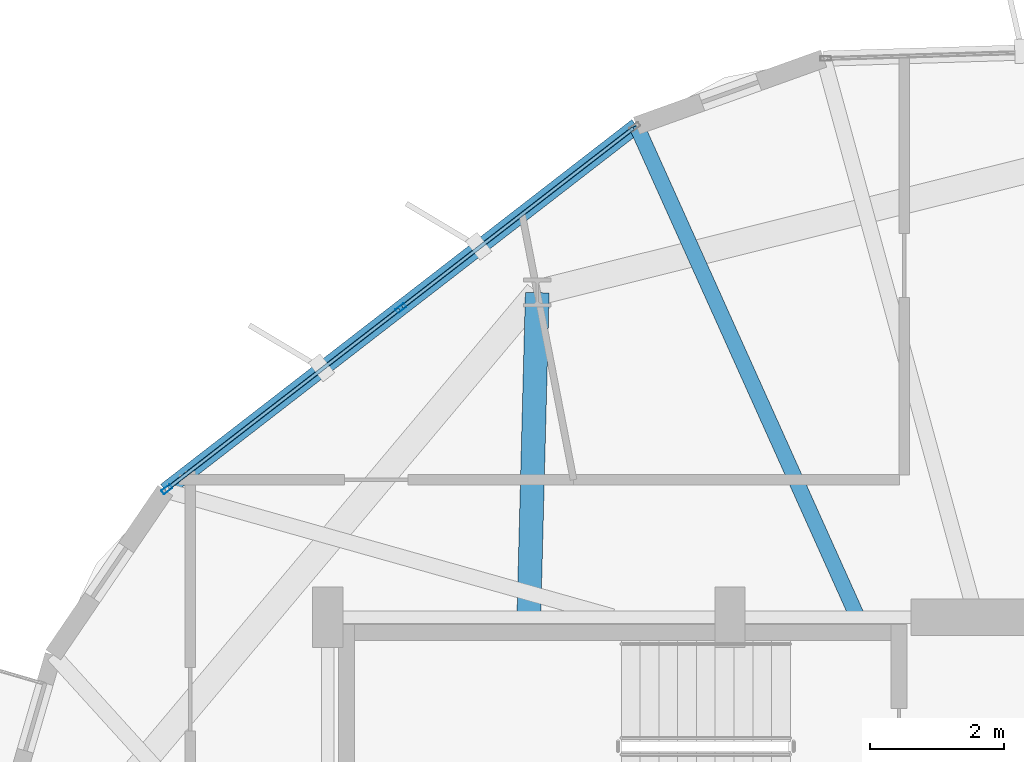
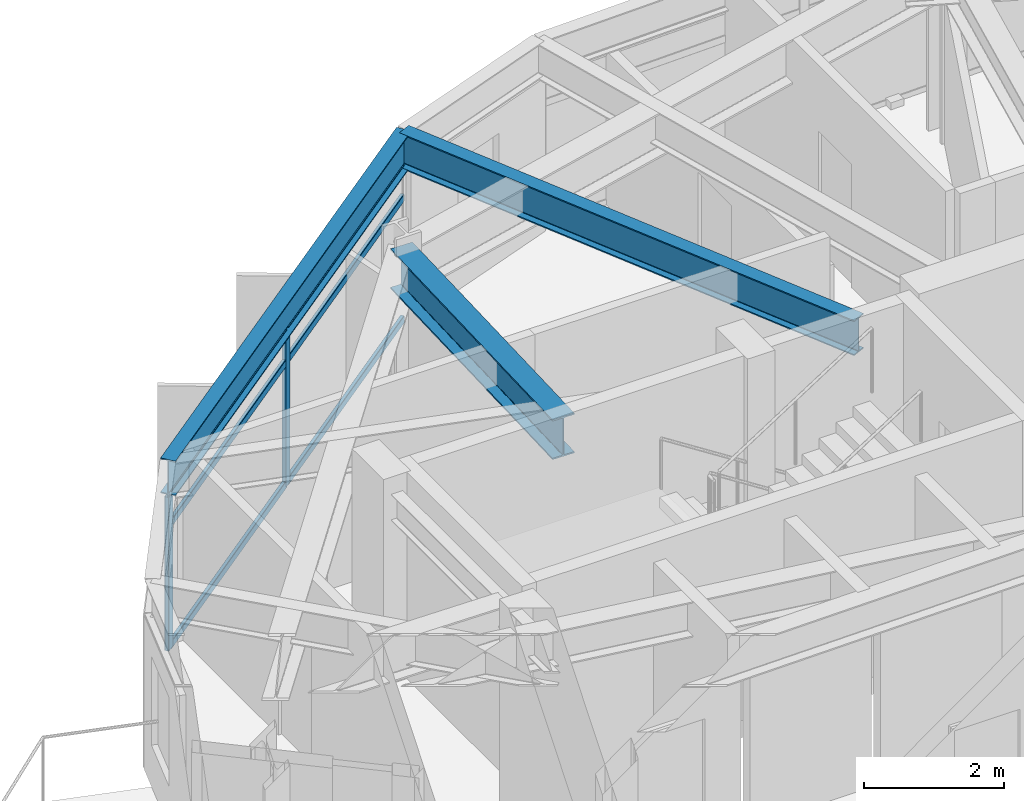
# One storey, part 12 of 23: 8 members, 3 beams, 1 element without a shape of its own.
"""IFC4 building model written with IfcOpenShell, lengths in metres."""

from ifc_helpers import new_model, si_unit, direction, frame, origin, origin_2d, place, context, subcontext, project, spatial, hollow_rectangle, i_section, extrude, material, layer, layer_set, material_profile, profile_set, type_object, element, aggregate, save


model = new_model("IFC4")

# Units and contexts
model_context = context("Model", 3, precision=1e-05, world=origin(), true_north=direction((0.0, 1.0)))
body_context = subcontext(model_context, "Body", "Model", "MODEL_VIEW")
ifc_project = project(units=[si_unit("LENGTHUNIT", "METRE"), si_unit("AREAUNIT", "SQUARE_METRE"), si_unit("VOLUMEUNIT", "CUBIC_METRE"), si_unit("PLANEANGLEUNIT", "RADIAN"), si_unit("MASSUNIT", "GRAM", prefix="KILO")], contexts=[model_context])

# Site, building, storey
site_placement = place(None, origin())
site = spatial("IfcSite", under=ifc_project, at=site_placement, CompositionType="ELEMENT")
building_placement = place(site_placement, origin())
building = spatial("IfcBuilding", under=site, at=building_placement, Name="Soratama Intermodal Tower", CompositionType="ELEMENT")
storey_placement = place(building_placement, frame((0.0, 0.0, 171.39990234375)))
storey = spatial("IfcBuildingStorey", under=building, at=storey_placement, Name="L42", CompositionType="ELEMENT", Elevation=171.39990234375)

# Beams
ifc_material_1 = material(Name="Structural steel ASTM A992 Grade 50", Category="steel")
ifc_material_profile_1 = material_profile(ifc_material_1, i_section(OverallWidth=0.35498046875, OverallDepth=0.695068359375, WebThickness=0.015380859375, FlangeThickness=0.02490234375, FilletRadius=0.01611328125, at=origin_2d()), Name="W27X146")
ifc_profile_set_1 = profile_set([ifc_material_profile_1], Name="Structural steel ASTM A992 Grade 50")
beam_type_1 = type_object("IfcBeamType", Name="BM-RING-W27X146", PredefinedType="BEAM", material=ifc_profile_set_1)
beam_1_placement = place(storey_placement, frame((35.60009765625, 35.0, 2.95263671875), z_axis=(0.026013685955, 0.99966158681, 0.0), x_axis=(-0.99966158681, 0.026013685955, 0.0)))
element("IfcBeam", 1, at=beam_1_placement, inside=storey, type_object=beam_type_1, Name="BM-L42-RAD-04", PredefinedType="BEAM", context=body_context, shape_type="SweptSolid", body=[
    extrude(i_section(OverallWidth=0.35498046875, OverallDepth=0.695068359375, WebThickness=0.015380859375, FlangeThickness=0.02490234375, FilletRadius=0.01611328125, at=origin_2d()), origin(), (0.0, 0.0, 1.0), 4.8427734375),
])
ifc_material_2 = material(Name="Structural steel ASTM A992 Grade 50", Category="steel")
ifc_material_profile_2 = material_profile(ifc_material_2, i_section(OverallWidth=0.22900390625, OverallDepth=0.612060546875, WebThickness=0.011962890625, FlangeThickness=0.01953125, FilletRadius=0.012939453125, at=origin_2d()), Name="W24X84")
ifc_profile_set_2 = profile_set([ifc_material_profile_2], Name="Structural steel ASTM A992 Grade 50")
beam_type_2 = type_object("IfcBeamType", Name="BM-SPN-W24X84", PredefinedType="SPANDREL", material=ifc_profile_set_2)
beam_2_placement = place(storey_placement, frame((37.2060546875, 42.330078125, 2.994140625), z_axis=(-0.790839516003, -0.612023577918, 0.0), x_axis=(0.612023577918, -0.790839516003, 0.0)))
element("IfcBeam", 2, at=beam_2_placement, inside=storey, type_object=beam_type_2, Name="BS-L42-F03", PredefinedType="SPANDREL", context=body_context, shape_type="SweptSolid", body=[
    extrude(i_section(OverallWidth=0.22900390625, OverallDepth=0.612060546875, WebThickness=0.011962890625, FlangeThickness=0.01953125, FilletRadius=0.012939453125, at=origin_2d()), origin(), (0.0, 0.0, 1.0), 8.886962890625),
])
ifc_material_3 = material(Name="Structural steel ASTM A992 Grade 50", Category="steel")
ifc_material_profile_3 = material_profile(ifc_material_3, i_section(OverallWidth=0.22900390625, OverallDepth=0.612060546875, WebThickness=0.011962890625, FlangeThickness=0.01953125, FilletRadius=0.012939453125, at=origin_2d()), Name="W24X84")
ifc_profile_set_3 = profile_set([ifc_material_profile_3], Name="Structural steel ASTM A992 Grade 50")
beam_type_3 = type_object("IfcBeamType", Name="BM-TIE-W24X84", PredefinedType="BEAM", material=ifc_profile_set_3)
beam_3_placement = place(storey_placement, frame((40.486083984375, 35.035888671875, 2.994140625), z_axis=(-0.410119691238, 0.91203170935, 0.0), x_axis=(-0.91203170935, -0.410119691238, 0.0)))
element("IfcBeam", 3, at=beam_3_placement, inside=storey, type_object=beam_type_3, Name="BM-L42-TIE0-03", PredefinedType="BEAM", context=body_context, shape_type="SweptSolid", body=[
    extrude(i_section(OverallWidth=0.22900390625, OverallDepth=0.612060546875, WebThickness=0.011962890625, FlangeThickness=0.01953125, FilletRadius=0.012939453125, at=origin_2d()), origin(), (0.0, 0.0, 1.0), 7.997802734375),
])

# Curtain wall, members
ifc_material_4 = material(Name="Double-glazed aluminium curtain wall", Category="aluminium")
ifc_layer = layer(ifc_material_4, 0.159912109375)
ifc_layer_set = layer_set([ifc_layer], Name="Double-glazed aluminium curtain wall")
curtain_wall_type = type_object("IfcCurtainWallType", Name="CW-SYS-4", PredefinedType="NOTDEFINED", material=ifc_layer_set)
curtain_wall_placement = place(storey_placement, origin())
curtain_wall = element("IfcCurtainWall", 4, at=curtain_wall_placement, inside=storey, type_object=curtain_wall_type, Name="L42 Faceted Curtain Wall F03", PredefinedType="NOTDEFINED")
ifc_material_5 = material(Name="Anodised aluminium AA 6063-T6", Category="aluminium")
ifc_material_profile_4 = material_profile(ifc_material_5, hollow_rectangle(XDim=0.070068359375, YDim=0.159912109375, WallThickness=0.0048828125, InnerFilletRadius=0.0048828125, OuterFilletRadius=0.010009765625, at=origin_2d()), Name="CWM160X70X5")
ifc_profile_set_4 = profile_set([ifc_material_profile_4], Name="Anodised aluminium AA 6063-T6")
member_type_1 = type_object("IfcMemberType", Name="MT-CWM-4", PredefinedType="MULLION", material=ifc_profile_set_4)
member_1_placement = place(storey_placement, frame((33.691650390625, 39.610107421875, 0.0), z_axis=(0.0, 0.0, 1.0), x_axis=(0.612073099005, -0.790801189601, 0.0)))
member_1 = element("IfcMember", 5, at=member_1_placement, type_object=member_type_1, Name="CW-4 mullion 2", PredefinedType="MULLION", context=body_context, shape_type="SweptSolid", body=[
    extrude(hollow_rectangle(XDim=0.070068359375, YDim=0.159912109375, WallThickness=0.0048828125, InnerFilletRadius=0.0048828125, OuterFilletRadius=0.010009765625, at=origin_2d()), origin(), (0.0, 0.0, 1.0), 2.67919921875),
])
member_2_placement = place(storey_placement, frame((30.20166015625, 36.908935546875, 0.0), z_axis=(0.0, 0.0, 1.0), x_axis=(0.612073099005, -0.790801189601, 0.0)))
member_2 = element("IfcMember", 6, at=member_2_placement, type_object=member_type_1, Name="CW-4 mullion 3", PredefinedType="MULLION", context=body_context, shape_type="SweptSolid", body=[
    extrude(hollow_rectangle(XDim=0.070068359375, YDim=0.159912109375, WallThickness=0.0048828125, InnerFilletRadius=0.0048828125, OuterFilletRadius=0.010009765625, at=origin_2d()), origin(), (0.0, 0.0, 1.0), 2.67919921875),
])
ifc_material_6 = material(Name="Anodised aluminium AA 6063-T6", Category="aluminium")
ifc_material_profile_5 = material_profile(ifc_material_6, hollow_rectangle(XDim=0.06005859375, YDim=0.1298828125, WallThickness=0.0048828125, InnerFilletRadius=0.0048828125, OuterFilletRadius=0.010009765625, at=origin_2d()), Name="CWT130X60X5")
ifc_profile_set_5 = profile_set([ifc_material_profile_5], Name="Anodised aluminium AA 6063-T6")
member_type_2 = type_object("IfcMemberType", Name="TT-CWT-2", PredefinedType="USERDEFINED", material=ifc_profile_set_5)
member_3_placement = place(storey_placement, frame((37.157958984375, 42.29296875, 0.030029296875), z_axis=(-0.790802514089, -0.612071387757, 0.0), x_axis=(0.612071387757, -0.790802514089, 0.0)))
member_3 = element("IfcMember", 7, at=member_3_placement, type_object=member_type_2, Name="CW-4 transom 1.1", ObjectType="TRANSOM", PredefinedType="USERDEFINED", context=body_context, shape_type="SweptSolid", body=[
    extrude(hollow_rectangle(XDim=0.06005859375, YDim=0.1298828125, WallThickness=0.0048828125, InnerFilletRadius=0.0048828125, OuterFilletRadius=0.010009765625, at=origin_2d()), origin(), (0.0, 0.0, 1.0), 4.353271484375),
])
member_4_placement = place(storey_placement, frame((37.157958984375, 42.29296875, 2.150146484375), z_axis=(-0.790802514089, -0.612071387757, 0.0), x_axis=(0.612071387757, -0.790802514089, 0.0)))
member_4 = element("IfcMember", 8, at=member_4_placement, type_object=member_type_2, Name="CW-4 transom 1.2", ObjectType="TRANSOM", PredefinedType="USERDEFINED", context=body_context, shape_type="SweptSolid", body=[
    extrude(hollow_rectangle(XDim=0.06005859375, YDim=0.1298828125, WallThickness=0.0048828125, InnerFilletRadius=0.0048828125, OuterFilletRadius=0.010009765625, at=origin_2d()), origin(), (0.0, 0.0, 1.0), 4.353271484375),
])
member_5_placement = place(storey_placement, frame((37.157958984375, 42.29296875, 2.649169921875), z_axis=(-0.790802514089, -0.612071387757, 0.0), x_axis=(0.612071387757, -0.790802514089, 0.0)))
member_5 = element("IfcMember", 9, at=member_5_placement, type_object=member_type_2, Name="CW-4 transom 1.3", ObjectType="TRANSOM", PredefinedType="USERDEFINED", context=body_context, shape_type="SweptSolid", body=[
    extrude(hollow_rectangle(XDim=0.06005859375, YDim=0.1298828125, WallThickness=0.0048828125, InnerFilletRadius=0.0048828125, OuterFilletRadius=0.010009765625, at=origin_2d()), origin(), (0.0, 0.0, 1.0), 4.353271484375),
])
member_6_placement = place(storey_placement, frame((33.66796875, 39.591796875, 0.030029296875), z_axis=(-0.790802514089, -0.612071387757, 0.0), x_axis=(0.612071387757, -0.790802514089, 0.0)))
member_6 = element("IfcMember", 10, at=member_6_placement, type_object=member_type_2, Name="CW-4 transom 2.1", ObjectType="TRANSOM", PredefinedType="USERDEFINED", context=body_context, shape_type="SweptSolid", body=[
    extrude(hollow_rectangle(XDim=0.06005859375, YDim=0.1298828125, WallThickness=0.0048828125, InnerFilletRadius=0.0048828125, OuterFilletRadius=0.010009765625, at=origin_2d()), origin(), (0.0, 0.0, 1.0), 4.353271484375),
])
member_7_placement = place(storey_placement, frame((33.66796875, 39.591796875, 2.150146484375), z_axis=(-0.790802514089, -0.612071387757, 0.0), x_axis=(0.612071387757, -0.790802514089, 0.0)))
member_7 = element("IfcMember", 11, at=member_7_placement, type_object=member_type_2, Name="CW-4 transom 2.2", ObjectType="TRANSOM", PredefinedType="USERDEFINED", context=body_context, shape_type="SweptSolid", body=[
    extrude(hollow_rectangle(XDim=0.06005859375, YDim=0.1298828125, WallThickness=0.0048828125, InnerFilletRadius=0.0048828125, OuterFilletRadius=0.010009765625, at=origin_2d()), origin(), (0.0, 0.0, 1.0), 4.353271484375),
])
member_8_placement = place(storey_placement, frame((33.66796875, 39.591796875, 2.649169921875), z_axis=(-0.790802514089, -0.612071387757, 0.0), x_axis=(0.612071387757, -0.790802514089, 0.0)))
member_8 = element("IfcMember", 12, at=member_8_placement, type_object=member_type_2, Name="CW-4 transom 2.3", ObjectType="TRANSOM", PredefinedType="USERDEFINED", context=body_context, shape_type="SweptSolid", body=[
    extrude(hollow_rectangle(XDim=0.06005859375, YDim=0.1298828125, WallThickness=0.0048828125, InnerFilletRadius=0.0048828125, OuterFilletRadius=0.010009765625, at=origin_2d()), origin(), (0.0, 0.0, 1.0), 4.353271484375),
])
aggregate(curtain_wall, [member_1, member_2, member_3, member_4, member_5, member_6, member_7, member_8])

save(model, "model.ifc")
